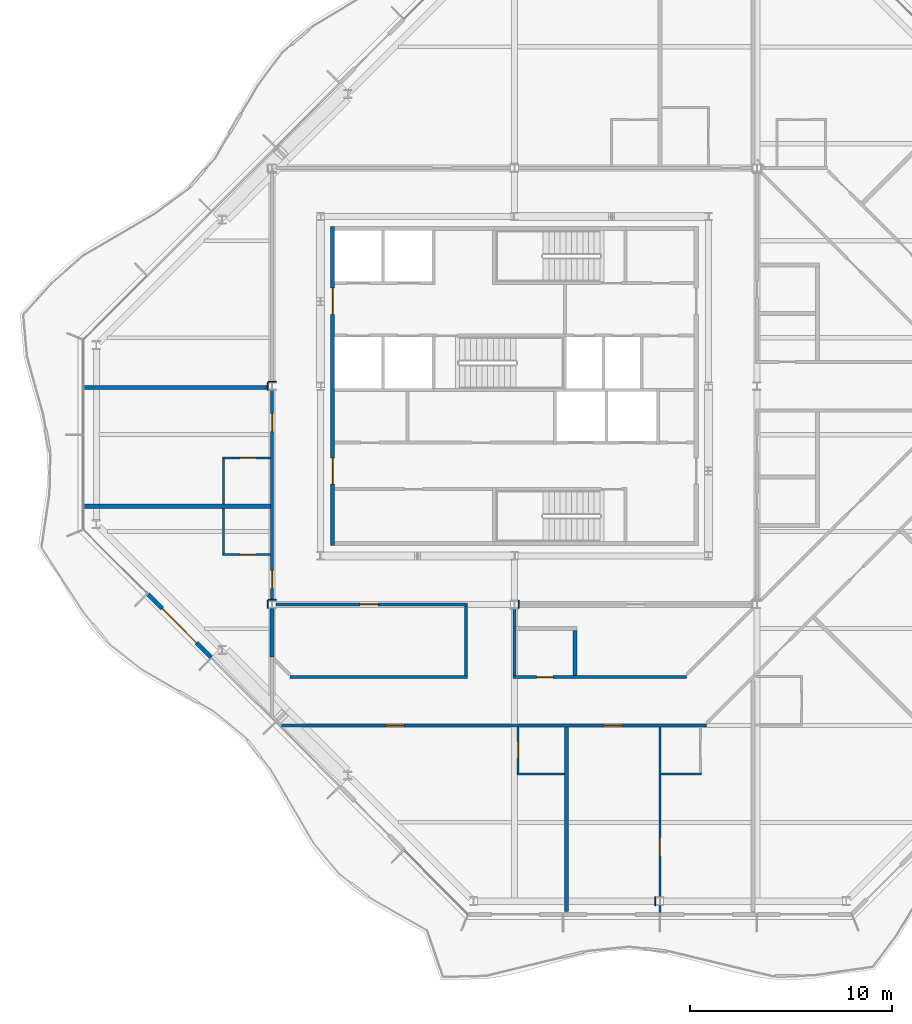
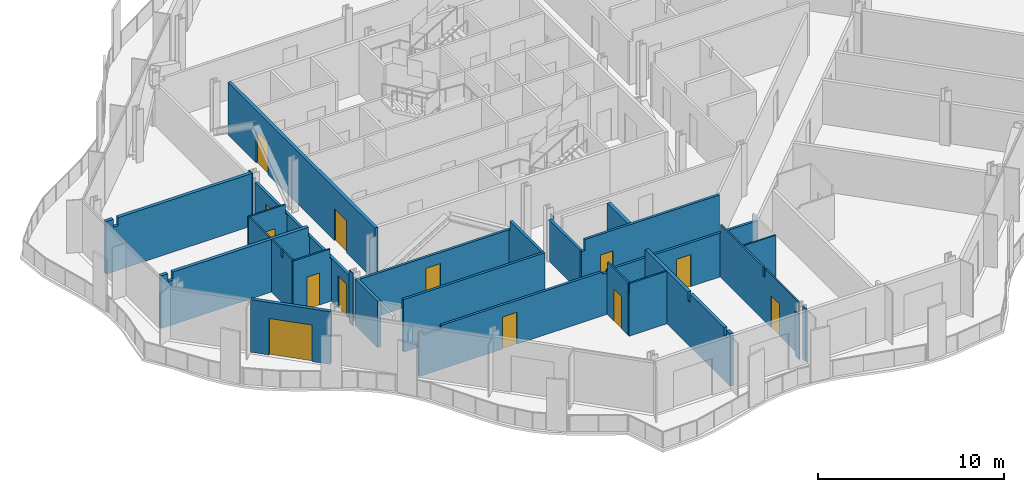
# One storey, part 7 of 17: 29 walls, 13 doors, 13 openings.
"""IFC4 building model written with IfcOpenShell, lengths in metres."""

from ifc_helpers import new_model, si_unit, direction, frame, frame_2d, origin, place, context, subcontext, project, spatial, polyline, rectangle, outline, extrude, material, layer, layer_set, type_object, element, fill, save


model = new_model("IFC4")

# Units and contexts
model_context = context("Model", 3, precision=1e-05, world=origin(), true_north=direction((0.0, 1.0)))
body_context = subcontext(model_context, "Body", "Model", "MODEL_VIEW")
ifc_project = project(units=[si_unit("LENGTHUNIT", "METRE"), si_unit("AREAUNIT", "SQUARE_METRE"), si_unit("VOLUMEUNIT", "CUBIC_METRE"), si_unit("PLANEANGLEUNIT", "RADIAN"), si_unit("MASSUNIT", "GRAM", prefix="KILO")], contexts=[model_context])

# Site, building, storey
site_placement = place(None, origin())
site = spatial("IfcSite", under=ifc_project, at=site_placement, CompositionType="ELEMENT")
building_placement = place(site_placement, origin())
building = spatial("IfcBuilding", under=site, at=building_placement, Name="Cairn Pilgrim Tower", CompositionType="ELEMENT")
storey_placement = place(building_placement, frame((0.0, 0.0, 228.60009765625)))
storey = spatial("IfcBuildingStorey", under=building, at=storey_placement, Name="L58", CompositionType="ELEMENT", Elevation=228.60009765625)

# Wall, opening, door
ifc_material_1 = material(Name="Bronze anodised aluminium insulated sandwich panel with mineral wool fill", Category="aluminium")
ifc_layer_1 = layer(ifc_material_1, 0.199951171875)
ifc_layer_set_1 = layer_set([ifc_layer_1], Name="BRONZE INFILL FRAME WALL 200")
wall_type_1 = type_object("IfcWallType", Name="BRONZE INFILL FRAME WALL 200", PredefinedType="NOTDEFINED", material=ifc_layer_set_1)
wall_1_placement = place(storey_placement, frame((-10.953125, -7.893310546875, 0.0), z_axis=(0.0, 0.0, 1.0), x_axis=(0.707106781187, -0.707106781187, 0.0)))
wall_1 = element("IfcWall", 1, at=wall_1_placement, inside=storey, type_object=wall_type_1, Name="Bronze infill frame wall IW-SW2", PredefinedType="NOTDEFINED", context=body_context, shape_type="SweptSolid", body=[
    extrude(rectangle(XDim=4.430908203125, YDim=0.199951171875, at=frame_2d((2.21533203125, 0.0))), origin(), (0.0, 0.0, 1.0), 3.449951171875),
])
opening_1_placement = place(wall_1_placement, frame((1.015380859375, 0.0, 0.0)))
opening_1 = element("IfcOpeningElement", 2, at=opening_1_placement, cuts=wall_1, Name="Opening 5812B", PredefinedType="OPENING", context=body_context, shape_type="SweptSolid", body=[
    extrude(rectangle(XDim=2.39990234375, YDim=2.39990234375, at=frame_2d((1.199951171875, 1.199951171875))), frame((0.0, 0.10986328125, 0.0), z_axis=(0.0, -1.0, 0.0), x_axis=(1.0, 0.0, 0.0)), (0.0, 0.0, 1.0), 0.219970703125),
])
ifc_material_2 = material(Name="Bronze anodised aluminium frame with tinted low-E glass", Category="aluminium")
door_type_1 = type_object("IfcDoorType", Name="BALCONY SLIDING DOOR 2400x2400", OperationType="DOUBLE_DOOR_SLIDING", PredefinedType="DOOR", material=ifc_material_2)
door_1_placement = place(opening_1_placement, origin())
door_1 = element("IfcDoor", 3, at=door_1_placement, inside=storey, type_object=door_type_1, Name="Balcony sliding door 5812B", OperationType="SINGLE_SWING_LEFT", OverallHeight=2.39990234375, OverallWidth=2.39990234375, PredefinedType="DOOR", context=body_context, shape_type="SweptSolid", body=[
    extrude(rectangle(XDim=2.39990234375, YDim=2.39990234375, at=frame_2d((1.199951171875, 1.199951171875))), frame((0.0, 0.02490234375, 0.0), z_axis=(0.0, -1.0, 0.0), x_axis=(1.0, 0.0, 0.0)), (0.0, 0.0, 1.0), 0.050048828125),
])
fill(opening_1, door_1)

# Wall, openings, doors
ifc_material_3 = material(Name="Concrete C32/40", Category="concrete")
ifc_layer_2 = layer(ifc_material_3, 0.199951171875)
ifc_layer_set_2 = layer_set([ifc_layer_2], Name="CORE OUTER WALL 200 EI 120")
wall_type_2 = type_object("IfcWallType", Name="CORE OUTER WALL 200 EI 120", PredefinedType="SOLIDWALL", material=ifc_layer_set_2)
wall_2_placement = place(storey_placement, frame((-1.800048828125, -5.5, 0.0), z_axis=(0.0, 0.0, 1.0), x_axis=(0.0, 1.0, 0.0)))
wall_2 = element("IfcWall", 4, at=wall_2_placement, inside=storey, type_object=wall_type_2, Name="CW:L58:V13", PredefinedType="SOLIDWALL", context=body_context, shape_type="SweptSolid", body=[
    extrude(rectangle(XDim=15.800048828125, YDim=0.199951171875, at=frame_2d((7.89990234375, 0.0))), origin(), (0.0, 0.0, 1.0), 3.449951171875),
])
opening_2_placement = place(wall_2_placement, frame((3.050048828125, 0.0, 0.0)))
opening_2 = element("IfcOpeningElement", 5, at=opening_2_placement, cuts=wall_2, Name="Opening CD-W1", PredefinedType="OPENING", context=body_context, shape_type="SweptSolid", body=[
    extrude(rectangle(XDim=1.300048828125, YDim=2.10009765625, at=frame_2d((0.64990234375, 1.050048828125))), frame((0.0, 0.10986328125, 0.0), z_axis=(0.0, -1.0, 0.0), x_axis=(1.0, 0.0, 0.0)), (0.0, 0.0, 1.0), 0.219970703125),
])
opening_3_placement = place(wall_2_placement, frame((11.449951171875, 0.0, 0.0)))
opening_3 = element("IfcOpeningElement", 6, at=opening_3_placement, cuts=wall_2, Name="Opening CD-W2", PredefinedType="OPENING", context=body_context, shape_type="SweptSolid", body=[
    extrude(rectangle(XDim=1.300048828125, YDim=2.10009765625, at=frame_2d((0.64990234375, 1.050048828125))), frame((0.0, 0.10986328125, 0.0), z_axis=(0.0, -1.0, 0.0), x_axis=(1.0, 0.0, 0.0)), (0.0, 0.0, 1.0), 0.219970703125),
])
ifc_material_4 = material(Name="Painted steel", Category="steel")
door_type_2 = type_object("IfcDoorType", Name="CORE LOBBY DOOR 1300x2100", OperationType="DOUBLE_DOOR_SINGLE_SWING", PredefinedType="DOOR", material=ifc_material_4)
door_2_placement = place(opening_2_placement, origin())
door_2 = element("IfcDoor", 7, at=door_2_placement, inside=storey, type_object=door_type_2, Name="CD-W1", OperationType="DOUBLE_DOOR_SINGLE_SWING", OverallHeight=2.10009765625, OverallWidth=1.300048828125, PredefinedType="DOOR", context=body_context, shape_type="SweptSolid", body=[
    extrude(rectangle(XDim=1.300048828125, YDim=2.10009765625, at=frame_2d((0.64990234375, 1.050048828125))), frame((0.0, 0.02490234375, 0.0), z_axis=(0.0, -1.0, 0.0), x_axis=(1.0, 0.0, 0.0)), (0.0, 0.0, 1.0), 0.050048828125),
])
fill(opening_2, door_2)
door_3_placement = place(opening_3_placement, origin())
door_3 = element("IfcDoor", 8, at=door_3_placement, inside=storey, type_object=door_type_2, Name="CD-W2", OperationType="DOUBLE_DOOR_SINGLE_SWING", OverallHeight=2.10009765625, OverallWidth=1.300048828125, PredefinedType="DOOR", context=body_context, shape_type="SweptSolid", body=[
    extrude(rectangle(XDim=1.300048828125, YDim=2.10009765625, at=frame_2d((0.64990234375, 1.050048828125))), frame((0.0, 0.02490234375, 0.0), z_axis=(0.0, -1.0, 0.0), x_axis=(1.0, 0.0, 0.0)), (0.0, 0.0, 1.0), 0.050048828125),
])
fill(opening_3, door_3)

# Wall
ifc_material_5 = material(Name="Gypsum partition")
ifc_layer_3 = layer(ifc_material_5, 0.10009765625)
ifc_layer_set_3 = layer_set([ifc_layer_3], Name="PARTITION 100 DRYWALL")
wall_type_3 = type_object("IfcWallType", Name="PARTITION 100 DRYWALL", PredefinedType="PARTITIONING", material=ifc_layer_set_3)
wall_3_placement = place(storey_placement, frame((14.39990234375, -23.64990234375, 0.0), z_axis=(0.0, 0.0, 1.0), x_axis=(0.0, 1.0, 0.0)))
element("IfcWall", 9, at=wall_3_placement, inside=storey, type_object=wall_type_3, Name="PARTITION W001", PredefinedType="PARTITIONING", context=body_context, shape_type="SweptSolid", body=[
    extrude(rectangle(XDim=0.326904296875, YDim=0.10009765625, at=frame_2d((0.16357421875, 0.0))), origin(), (0.0, 0.0, 1.0), 3.449951171875),
])

# Wall, opening, door
wall_4_placement = place(storey_placement, frame((14.39990234375, -22.876953125, 0.0), z_axis=(0.0, 0.0, 1.0), x_axis=(0.0, 1.0, 0.0)))
wall_4 = element("IfcWall", 10, at=wall_4_placement, inside=storey, type_object=wall_type_3, Name="PARTITION W004", PredefinedType="PARTITIONING", context=body_context, shape_type="SweptSolid", body=[
    extrude(outline(polyline([(0.0, 0.0), (8.40185546875, 0.0), (8.402099609375, 2.8798828125), (8.3720703125, 2.8798828125), (8.3701171875, 3.449951171875), (3.781982421875, 3.449951171875), (3.780029296875, 2.8798828125), (3.572021484375, 2.8798828125), (3.570068359375, 3.449951171875), (0.0, 3.449951171875), (0.0, 0.0)])), frame((0.0, 0.050048828125, 0.0), z_axis=(0.0, -1.0, 0.0), x_axis=(1.0, 0.0, 0.0)), (0.0, 0.0, 1.0), 0.10009765625),
])
opening_4_placement = place(wall_4_placement, frame((2.027099609375, 0.0, 0.0)))
opening_4 = element("IfcOpeningElement", 11, at=opening_4_placement, cuts=wall_4, Name="Opening 5814C", PredefinedType="OPENING", context=body_context, shape_type="SweptSolid", body=[
    extrude(rectangle(XDim=0.89990234375, YDim=2.10009765625, at=frame_2d((0.449951171875, 1.050048828125))), frame((0.0, 0.06005859375, 0.0), z_axis=(0.0, -1.0, 0.0), x_axis=(1.0, 0.0, 0.0)), (0.0, 0.0, 1.0), 0.1201171875),
])
ifc_material_6 = material(Name="Timber door leaf", Category="wood")
door_type_3 = type_object("IfcDoorType", Name="SERVICE DOOR 900x2100", OperationType="NOTDEFINED", PredefinedType="DOOR", material=ifc_material_6)
door_4_placement = place(opening_4_placement, origin())
door_4 = element("IfcDoor", 12, at=door_4_placement, inside=storey, type_object=door_type_3, Name="DOOR 5814C", OperationType="SINGLE_SWING_RIGHT", OverallHeight=2.10009765625, OverallWidth=0.89990234375, PredefinedType="DOOR", context=body_context, shape_type="SweptSolid", body=[
    extrude(rectangle(XDim=0.89990234375, YDim=2.10009765625, at=frame_2d((0.449951171875, 1.050048828125))), frame((0.0, 0.02490234375, 0.0), z_axis=(0.0, -1.0, 0.0), x_axis=(1.0, 0.0, 0.0)), (0.0, 0.0, 1.0), 0.050048828125),
])
fill(opening_4, door_4)

# Wall
wall_5_placement = place(storey_placement, frame((7.3359375, -16.800048828125, 0.0), z_axis=(0.0, 0.0, 1.0), x_axis=(1.0, 0.0, 0.0)))
element("IfcWall", 13, at=wall_5_placement, inside=storey, type_object=wall_type_3, Name="PARTITION W006", PredefinedType="PARTITIONING", context=body_context, shape_type="SweptSolid", body=[
    extrude(outline(polyline([(0.0, 0.0), (2.35009765625, 0.0), (2.35009765625, 3.449951171875), (0.013916015625, 3.449951171875), (0.011962890625, 2.72998046875), (0.0, 2.72998046875), (0.0, 0.0)])), frame((0.0, 0.050048828125, 0.0), z_axis=(0.0, -1.0, 0.0), x_axis=(1.0, 0.0, 0.0)), (0.0, 0.0, 1.0), 0.10009765625),
])

# Wall, opening, door
wall_6_placement = place(storey_placement, frame((7.385986328125, -16.75, 0.0), z_axis=(0.0, 0.0, 1.0), x_axis=(0.0, 1.0, 0.0)))
wall_6 = element("IfcWall", 14, at=wall_6_placement, inside=storey, type_object=wall_type_3, Name="PARTITION W007", PredefinedType="PARTITIONING", context=body_context, shape_type="SweptSolid", body=[
    extrude(outline(polyline([(0.0, 0.0), (2.27490234375, 0.0), (2.27490234375, 2.8798828125), (2.2451171875, 2.8798828125), (2.242919921875, 3.449951171875), (0.0, 3.449951171875), (0.0, 0.0)])), frame((0.0, 0.050048828125, 0.0), z_axis=(0.0, -1.0, 0.0), x_axis=(1.0, 0.0, 0.0)), (0.0, 0.0, 1.0), 0.10009765625),
])
opening_5_placement = place(wall_6_placement, frame((0.75, 0.0, 0.0)))
opening_5 = element("IfcOpeningElement", 15, at=opening_5_placement, cuts=wall_6, Name="Opening 5813A", PredefinedType="OPENING", context=body_context, shape_type="SweptSolid", body=[
    extrude(rectangle(XDim=0.800048828125, YDim=2.10009765625, at=frame_2d((0.39990234375, 1.050048828125))), frame((0.0, 0.06005859375, 0.0), z_axis=(0.0, -1.0, 0.0), x_axis=(1.0, 0.0, 0.0)), (0.0, 0.0, 1.0), 0.1201171875),
])
door_type_4 = type_object("IfcDoorType", Name="WC DOOR 800x2100", OperationType="NOTDEFINED", PredefinedType="DOOR", material=ifc_material_6)
door_5_placement = place(opening_5_placement, origin())
door_5 = element("IfcDoor", 16, at=door_5_placement, inside=storey, type_object=door_type_4, Name="DOOR 5813A", OperationType="SINGLE_SWING_RIGHT", OverallHeight=2.10009765625, OverallWidth=0.800048828125, PredefinedType="DOOR", context=body_context, shape_type="SweptSolid", body=[
    extrude(rectangle(XDim=0.800048828125, YDim=2.10009765625, at=frame_2d((0.39990234375, 1.050048828125))), frame((0.0, 0.02490234375, 0.0), z_axis=(0.0, -1.0, 0.0), x_axis=(1.0, 0.0, 0.0)), (0.0, 0.0, 1.0), 0.050048828125),
])
fill(opening_5, door_5)

# Wall
wall_7_placement = place(storey_placement, frame((14.449951171875, -16.800048828125, 0.0), z_axis=(0.0, 0.0, 1.0), x_axis=(1.0, 0.0, 0.0)))
element("IfcWall", 17, at=wall_7_placement, inside=storey, type_object=wall_type_3, Name="PARTITION W008", PredefinedType="PARTITIONING", context=body_context, shape_type="SweptSolid", body=[
    extrude(rectangle(XDim=2.0, YDim=0.10009765625, at=frame_2d((1.0, 0.0))), origin(), (0.0, 0.0, 1.0), 3.449951171875),
])

# Wall, opening, door
wall_8_placement = place(storey_placement, frame((-7.25, -5.944091796875, 0.0), z_axis=(0.0, 0.0, 1.0), x_axis=(1.0, 0.0, 0.0)))
wall_8 = element("IfcWall", 18, at=wall_8_placement, inside=storey, type_object=wall_type_3, Name="PARTITION W036", PredefinedType="PARTITIONING", context=body_context, shape_type="SweptSolid", body=[
    extrude(outline(polyline([(0.0, 0.0), (2.375, 0.0), (2.375, 2.829833984375), (2.300048828125, 2.829833984375), (2.298095703125, 3.449951171875), (0.0, 3.449951171875), (0.0, 0.0)])), frame((0.0, 0.050048828125, 0.0), z_axis=(0.0, -1.0, 0.0), x_axis=(1.0, 0.0, 0.0)), (0.0, 0.0, 1.0), 0.10009765625),
])
opening_6_placement = place(wall_8_placement, frame((0.85009765625, 0.0, 0.0)))
opening_6 = element("IfcOpeningElement", 19, at=opening_6_placement, cuts=wall_8, Name="Opening 5812A", PredefinedType="OPENING", context=body_context, shape_type="SweptSolid", body=[
    extrude(rectangle(XDim=0.800048828125, YDim=2.10009765625, at=frame_2d((0.39990234375, 1.050048828125))), frame((0.0, 0.06005859375, 0.0), z_axis=(0.0, -1.0, 0.0), x_axis=(1.0, 0.0, 0.0)), (0.0, 0.0, 1.0), 0.1201171875),
])
door_6_placement = place(opening_6_placement, frame((0.800048828125, 0.0, 0.0), z_axis=(0.0, 0.0, 1.0), x_axis=(-1.0, 0.0, 0.0)))
door_6 = element("IfcDoor", 20, at=door_6_placement, inside=storey, type_object=door_type_4, Name="DOOR 5812A", OperationType="SINGLE_SWING_RIGHT", OverallHeight=2.10009765625, OverallWidth=0.800048828125, PredefinedType="DOOR", context=body_context, shape_type="SweptSolid", body=[
    extrude(rectangle(XDim=0.800048828125, YDim=2.10009765625, at=frame_2d((0.39990234375, 1.050048828125))), frame((0.0, 0.02490234375, 0.0), z_axis=(0.0, -1.0, 0.0), x_axis=(1.0, 0.0, 0.0)), (0.0, 0.0, 1.0), 0.050048828125),
])
fill(opening_6, door_6)

# Walls
wall_9_placement = place(storey_placement, frame((-7.199951171875, -5.89404296875, 0.0), z_axis=(0.0, 0.0, 1.0), x_axis=(0.0, 1.0, 0.0)))
element("IfcWall", 21, at=wall_9_placement, inside=storey, type_object=wall_type_3, Name="PARTITION W037", PredefinedType="PARTITIONING", context=body_context, shape_type="SweptSolid", body=[
    extrude(outline(polyline([(0.0, 0.0), (2.25, 0.0), (2.25, 3.449951171875), (1.18896484375, 3.449951171875), (1.18701171875, 2.97998046875), (0.9990234375, 2.97998046875), (0.9970703125, 3.449951171875), (0.0, 3.449951171875), (0.0, 0.0)])), frame((0.0, 0.050048828125, 0.0), z_axis=(0.0, -1.0, 0.0), x_axis=(1.0, 0.0, 0.0)), (0.0, 0.0, 1.0), 0.10009765625),
])
wall_10_placement = place(storey_placement, frame((-7.199951171875, -3.444091796875, 0.0), z_axis=(0.0, 0.0, 1.0), x_axis=(0.0, 1.0, 0.0)))
element("IfcWall", 22, at=wall_10_placement, inside=storey, type_object=wall_type_3, Name="PARTITION W041", PredefinedType="PARTITIONING", context=body_context, shape_type="SweptSolid", body=[
    extrude(rectangle(XDim=2.25, YDim=0.10009765625, at=frame_2d((1.125, 0.0))), origin(), (0.0, 0.0, 1.0), 3.449951171875),
])

# Wall, opening, door
wall_11_placement = place(storey_placement, frame((-7.25, -1.14404296875, 0.0), z_axis=(0.0, 0.0, 1.0), x_axis=(1.0, 0.0, 0.0)))
wall_11 = element("IfcWall", 23, at=wall_11_placement, inside=storey, type_object=wall_type_3, Name="PARTITION W043", PredefinedType="PARTITIONING", context=body_context, shape_type="SweptSolid", body=[
    extrude(outline(polyline([(0.0, 0.0), (2.375, 0.0), (2.375, 2.829833984375), (2.300048828125, 2.829833984375), (2.298095703125, 3.449951171875), (0.0, 3.449951171875), (0.0, 0.0)])), frame((0.0, 0.050048828125, 0.0), z_axis=(0.0, -1.0, 0.0), x_axis=(1.0, 0.0, 0.0)), (0.0, 0.0, 1.0), 0.10009765625),
])
opening_7_placement = place(wall_11_placement, frame((0.85009765625, 0.0, 0.0)))
opening_7 = element("IfcOpeningElement", 24, at=opening_7_placement, cuts=wall_11, Name="Opening 5811A", PredefinedType="OPENING", context=body_context, shape_type="SweptSolid", body=[
    extrude(rectangle(XDim=0.800048828125, YDim=2.10009765625, at=frame_2d((0.39990234375, 1.050048828125))), frame((0.0, 0.06005859375, 0.0), z_axis=(0.0, -1.0, 0.0), x_axis=(1.0, 0.0, 0.0)), (0.0, 0.0, 1.0), 0.1201171875),
])
door_7_placement = place(opening_7_placement, origin())
door_7 = element("IfcDoor", 25, at=door_7_placement, inside=storey, type_object=door_type_4, Name="DOOR 5811A", OperationType="SINGLE_SWING_RIGHT", OverallHeight=2.10009765625, OverallWidth=0.800048828125, PredefinedType="DOOR", context=body_context, shape_type="SweptSolid", body=[
    extrude(rectangle(XDim=0.800048828125, YDim=2.10009765625, at=frame_2d((0.39990234375, 1.050048828125))), frame((0.0, 0.02490234375, 0.0), z_axis=(0.0, -1.0, 0.0), x_axis=(1.0, 0.0, 0.0)), (0.0, 0.0, 1.0), 0.050048828125),
])
fill(opening_7, door_7)

# Wall, openings, doors
ifc_layer_4 = layer(ifc_material_5, 0.14990234375)
ifc_layer_set_4 = layer_set([ifc_layer_4], Name="PARTITION 150 DRYWALL EI 60")
wall_type_4 = type_object("IfcWallType", Name="PARTITION 150 DRYWALL EI 60", PredefinedType="PARTITIONING", material=ifc_layer_set_4)
wall_12_placement = place(storey_placement, frame((-4.326171875, -14.39990234375, 0.0), z_axis=(0.0, 0.0, 1.0), x_axis=(1.0, 0.0, 0.0)))
wall_12 = element("IfcWall", 26, at=wall_12_placement, inside=storey, type_object=wall_type_4, Name="PARTITION W011", PredefinedType="PARTITIONING", context=body_context, shape_type="SweptSolid", body=[
    extrude(outline(polyline([(0.0, 0.0), (21.0263671875, 0.0), (21.026123046875, 2.8798828125), (11.676025390625, 2.8798828125), (11.674072265625, 2.72998046875), (11.376220703125, 2.72998046875), (11.3740234375, 2.8798828125), (1.368896484375, 2.8798828125), (1.366943359375, 2.6298828125), (0.22900390625, 2.6298828125), (0.226806640625, 2.8798828125), (0.0, 2.8798828125), (0.0, 0.0)])), frame((0.0, 0.074951171875, 0.0), z_axis=(0.0, -1.0, 0.0), x_axis=(1.0, 0.0, 0.0)), (0.0, 0.0, 1.0), 0.14990234375),
])
opening_8_placement = place(wall_12_placement, frame((5.169189453125, 0.0, 0.0)))
opening_8 = element("IfcOpeningElement", 27, at=opening_8_placement, cuts=wall_12, Name="Opening 5813", PredefinedType="OPENING", context=body_context, shape_type="SweptSolid", body=[
    extrude(rectangle(XDim=0.89990234375, YDim=2.10009765625, at=frame_2d((0.449951171875, 1.050048828125))), frame((0.0, 0.0849609375, 0.0), z_axis=(0.0, -1.0, 0.0), x_axis=(1.0, 0.0, 0.0)), (0.0, 0.0, 1.0), 0.169921875),
])
opening_9_placement = place(wall_12_placement, frame((15.968994140625, 0.0, 0.0)))
opening_9 = element("IfcOpeningElement", 28, at=opening_9_placement, cuts=wall_12, Name="Opening 5814", PredefinedType="OPENING", context=body_context, shape_type="SweptSolid", body=[
    extrude(rectangle(XDim=0.89990234375, YDim=2.10009765625, at=frame_2d((0.449951171875, 1.050048828125))), frame((0.0, 0.0849609375, 0.0), z_axis=(0.0, -1.0, 0.0), x_axis=(1.0, 0.0, 0.0)), (0.0, 0.0, 1.0), 0.169921875),
])
door_type_5 = type_object("IfcDoorType", Name="ROOM DOOR 900x2100 FD30S", OperationType="NOTDEFINED", PredefinedType="DOOR", material=ifc_material_6)
door_8_placement = place(opening_8_placement, frame((0.89990234375, 0.0, 0.0), z_axis=(0.0, 0.0, 1.0), x_axis=(-1.0, 0.0, 0.0)))
door_8 = element("IfcDoor", 29, at=door_8_placement, inside=storey, type_object=door_type_5, Name="DOOR 5813", OperationType="SINGLE_SWING_RIGHT", OverallHeight=2.10009765625, OverallWidth=0.89990234375, PredefinedType="DOOR", context=body_context, shape_type="SweptSolid", body=[
    extrude(rectangle(XDim=0.89990234375, YDim=2.10009765625, at=frame_2d((0.449951171875, 1.050048828125))), frame((0.0, 0.02490234375, 0.0), z_axis=(0.0, -1.0, 0.0), x_axis=(1.0, 0.0, 0.0)), (0.0, 0.0, 1.0), 0.050048828125),
])
fill(opening_8, door_8)
door_9_placement = place(opening_9_placement, frame((0.89990234375, 0.0, 0.0), z_axis=(0.0, 0.0, 1.0), x_axis=(-1.0, 0.0, 0.0)))
door_9 = element("IfcDoor", 30, at=door_9_placement, inside=storey, type_object=door_type_5, Name="DOOR 5814", OperationType="SINGLE_SWING_RIGHT", OverallHeight=2.10009765625, OverallWidth=0.89990234375, PredefinedType="DOOR", context=body_context, shape_type="SweptSolid", body=[
    extrude(rectangle(XDim=0.89990234375, YDim=2.10009765625, at=frame_2d((0.449951171875, 1.050048828125))), frame((0.0, 0.02490234375, 0.0), z_axis=(0.0, -1.0, 0.0), x_axis=(1.0, 0.0, 0.0)), (0.0, 0.0, 1.0), 0.050048828125),
])
fill(opening_9, door_9)

# Wall
wall_13_placement = place(storey_placement, frame((-3.912109375, -12.0, 0.0), z_axis=(0.0, 0.0, 1.0), x_axis=(1.0, 0.0, 0.0)))
element("IfcWall", 31, at=wall_13_placement, inside=storey, type_object=wall_type_4, Name="PARTITION W017", PredefinedType="PARTITIONING", context=body_context, shape_type="SweptSolid", body=[
    extrude(rectangle(XDim=8.787109375, YDim=0.14990234375, at=frame_2d((4.3935546875, 0.0))), origin(), (0.0, 0.0, 1.0), 3.449951171875),
])

# Wall, opening, door
wall_14_placement = place(storey_placement, frame((7.125, -12.0, 0.0), z_axis=(0.0, 0.0, 1.0), x_axis=(1.0, 0.0, 0.0)))
wall_14 = element("IfcWall", 32, at=wall_14_placement, inside=storey, type_object=wall_type_4, Name="PARTITION W018", PredefinedType="PARTITIONING", context=body_context, shape_type="SweptSolid", body=[
    extrude(outline(polyline([(0.0, 0.0), (8.5810546875, 0.0), (8.5810546875, 3.449951171875), (0.22509765625, 3.449951171875), (0.222900390625, 2.72998046875), (0.0, 2.72998046875), (0.0, 0.0)])), frame((0.0, 0.074951171875, 0.0), z_axis=(0.0, -1.0, 0.0), x_axis=(1.0, 0.0, 0.0)), (0.0, 0.0, 1.0), 0.14990234375),
])
opening_10_placement = place(wall_14_placement, frame((1.175048828125, 0.0, 0.0)))
opening_10 = element("IfcOpeningElement", 33, at=opening_10_placement, cuts=wall_14, Name="Opening 5818", PredefinedType="OPENING", context=body_context, shape_type="SweptSolid", body=[
    extrude(rectangle(XDim=0.800048828125, YDim=2.10009765625, at=frame_2d((0.39990234375, 1.050048828125))), frame((0.0, 0.0849609375, 0.0), z_axis=(0.0, -1.0, 0.0), x_axis=(1.0, 0.0, 0.0)), (0.0, 0.0, 1.0), 0.169921875),
])
door_type_6 = type_object("IfcDoorType", Name="WC DOOR 800x2100 FD30S", OperationType="NOTDEFINED", PredefinedType="DOOR", material=ifc_material_6)
door_10_placement = place(opening_10_placement, origin())
door_10 = element("IfcDoor", 34, at=door_10_placement, inside=storey, type_object=door_type_6, Name="DOOR 5818", OperationType="SINGLE_SWING_RIGHT", OverallHeight=2.10009765625, OverallWidth=0.800048828125, PredefinedType="DOOR", context=body_context, shape_type="SweptSolid", body=[
    extrude(rectangle(XDim=0.800048828125, YDim=2.10009765625, at=frame_2d((0.39990234375, 1.050048828125))), frame((0.0, 0.02490234375, 0.0), z_axis=(0.0, -1.0, 0.0), x_axis=(1.0, 0.0, 0.0)), (0.0, 0.0, 1.0), 0.050048828125),
])
fill(opening_10, door_10)

# Walls
wall_15_placement = place(storey_placement, frame((4.800048828125, -11.925048828125, 0.0), z_axis=(0.0, 0.0, 1.0), x_axis=(0.0, 1.0, 0.0)))
element("IfcWall", 35, at=wall_15_placement, inside=storey, type_object=wall_type_4, Name="PARTITION W021", PredefinedType="PARTITIONING", context=body_context, shape_type="SweptSolid", body=[
    extrude(outline(polyline([(0.0, 0.0), (3.449951171875, 0.0), (3.449951171875, 2.829833984375), (3.375, 2.829833984375), (3.373046875, 3.449951171875), (0.0, 3.449951171875), (0.0, 0.0)])), frame((0.0, 0.074951171875, 0.0), z_axis=(0.0, -1.0, 0.0), x_axis=(1.0, 0.0, 0.0)), (0.0, 0.0, 1.0), 0.14990234375),
])
wall_16_placement = place(storey_placement, frame((7.199951171875, -11.925048828125, 0.0), z_axis=(0.0, 0.0, 1.0), x_axis=(0.0, 1.0, 0.0)))
element("IfcWall", 36, at=wall_16_placement, inside=storey, type_object=wall_type_4, Name="PARTITION W022", PredefinedType="PARTITIONING", context=body_context, shape_type="SweptSolid", body=[
    extrude(rectangle(XDim=3.32861328125, YDim=0.14990234375, at=frame_2d((1.664306640625, 0.0))), origin(), (0.0, 0.0, 1.0), 2.72998046875),
])

# Wall, opening, door
wall_17_placement = place(storey_placement, frame((-4.6005859375, -8.39990234375, 0.0), z_axis=(0.0, 0.0, 1.0), x_axis=(1.0, 0.0, 0.0)))
wall_17 = element("IfcWall", 37, at=wall_17_placement, inside=storey, type_object=wall_type_4, Name="PARTITION W030", PredefinedType="PARTITIONING", context=body_context, shape_type="SweptSolid", body=[
    extrude(rectangle(XDim=9.4755859375, YDim=0.14990234375, at=frame_2d((4.73779296875, 0.0))), origin(), (0.0, 0.0, 1.0), 2.829833984375),
])
opening_11_placement = place(wall_17_placement, frame((4.150390625, 0.0, 0.0)))
opening_11 = element("IfcOpeningElement", 38, at=opening_11_placement, cuts=wall_17, Name="Opening 5822", PredefinedType="OPENING", context=body_context, shape_type="SweptSolid", body=[
    extrude(rectangle(XDim=0.89990234375, YDim=2.10009765625, at=frame_2d((0.449951171875, 1.050048828125))), frame((0.0, 0.0849609375, 0.0), z_axis=(0.0, -1.0, 0.0), x_axis=(1.0, 0.0, 0.0)), (0.0, 0.0, 1.0), 0.169921875),
])
door_type_7 = type_object("IfcDoorType", Name="SERVICE DOOR 900x2100 FD30S", OperationType="NOTDEFINED", PredefinedType="DOOR", material=ifc_material_6)
door_11_placement = place(opening_11_placement, frame((0.89990234375, 0.0, 0.0), z_axis=(0.0, 0.0, 1.0), x_axis=(-1.0, 0.0, 0.0)))
door_11 = element("IfcDoor", 39, at=door_11_placement, inside=storey, type_object=door_type_7, Name="DOOR 5822", OperationType="SINGLE_SWING_LEFT", OverallHeight=2.10009765625, OverallWidth=0.89990234375, PredefinedType="DOOR", context=body_context, shape_type="SweptSolid", body=[
    extrude(rectangle(XDim=0.89990234375, YDim=2.10009765625, at=frame_2d((0.449951171875, 1.050048828125))), frame((0.0, 0.02490234375, 0.0), z_axis=(0.0, -1.0, 0.0), x_axis=(1.0, 0.0, 0.0)), (0.0, 0.0, 1.0), 0.050048828125),
])
fill(opening_11, door_11)

# Wall, openings, doors
wall_18_placement = place(storey_placement, frame((-4.800048828125, -8.20361328125, 0.0), z_axis=(0.0, 0.0, 1.0), x_axis=(0.0, 1.0, 0.0)))
wall_18 = element("IfcWall", 40, at=wall_18_placement, inside=storey, type_object=wall_type_4, Name="PARTITION W032", PredefinedType="PARTITIONING", context=body_context, shape_type="SweptSolid", body=[
    extrude(rectangle(XDim=10.4072265625, YDim=0.14990234375, at=frame_2d((5.20361328125, 0.0))), origin(), (0.0, 0.0, 1.0), 2.829833984375),
])
opening_12_placement = place(wall_18_placement, frame((8.353515625, 0.0, 0.0)))
opening_12 = element("IfcOpeningElement", 41, at=opening_12_placement, cuts=wall_18, Name="Opening 5811", PredefinedType="OPENING", context=body_context, shape_type="SweptSolid", body=[
    extrude(rectangle(XDim=0.89990234375, YDim=2.10009765625, at=frame_2d((0.449951171875, 1.050048828125))), frame((0.0, 0.0849609375, 0.0), z_axis=(0.0, -1.0, 0.0), x_axis=(1.0, 0.0, 0.0)), (0.0, 0.0, 1.0), 0.169921875),
])
opening_13_placement = place(wall_18_placement, frame((0.58154296875, 0.0, 0.0)))
opening_13 = element("IfcOpeningElement", 42, at=opening_13_placement, cuts=wall_18, Name="Opening 5812", PredefinedType="OPENING", context=body_context, shape_type="SweptSolid", body=[
    extrude(rectangle(XDim=0.89990234375, YDim=2.10009765625, at=frame_2d((0.449951171875, 1.050048828125))), frame((0.0, 0.0849609375, 0.0), z_axis=(0.0, -1.0, 0.0), x_axis=(1.0, 0.0, 0.0)), (0.0, 0.0, 1.0), 0.169921875),
])
door_12_placement = place(opening_12_placement, origin())
door_12 = element("IfcDoor", 43, at=door_12_placement, inside=storey, type_object=door_type_5, Name="DOOR 5811", OperationType="SINGLE_SWING_RIGHT", OverallHeight=2.10009765625, OverallWidth=0.89990234375, PredefinedType="DOOR", context=body_context, shape_type="SweptSolid", body=[
    extrude(rectangle(XDim=0.89990234375, YDim=2.10009765625, at=frame_2d((0.449951171875, 1.050048828125))), frame((0.0, 0.02490234375, 0.0), z_axis=(0.0, -1.0, 0.0), x_axis=(1.0, 0.0, 0.0)), (0.0, 0.0, 1.0), 0.050048828125),
])
fill(opening_12, door_12)
door_13_placement = place(opening_13_placement, origin())
door_13 = element("IfcDoor", 44, at=door_13_placement, inside=storey, type_object=door_type_5, Name="DOOR 5812", OperationType="SINGLE_SWING_RIGHT", OverallHeight=2.10009765625, OverallWidth=0.89990234375, PredefinedType="DOOR", context=body_context, shape_type="SweptSolid", body=[
    extrude(rectangle(XDim=0.89990234375, YDim=2.10009765625, at=frame_2d((0.449951171875, 1.050048828125))), frame((0.0, 0.02490234375, 0.0), z_axis=(0.0, -1.0, 0.0), x_axis=(1.0, 0.0, 0.0)), (0.0, 0.0, 1.0), 0.050048828125),
])
fill(opening_13, door_13)

# Walls
ifc_layer_5 = layer(ifc_material_5, 0.050048828125)
ifc_layer_set_5 = layer_set([ifc_layer_5], Name="PARTITION 50 DRYWALL")
wall_type_5 = type_object("IfcWallType", Name="PARTITION 50 DRYWALL", PredefinedType="PARTITIONING", material=ifc_layer_set_5)
wall_19_placement = place(storey_placement, frame((14.1669921875, -23.322998046875, 0.0), z_axis=(0.0, 0.0, 1.0), x_axis=(0.0, 1.0, 0.0)))
element("IfcWall", 45, at=wall_19_placement, inside=storey, type_object=wall_type_5, Name="COLUMN CASING WC01", PredefinedType="PARTITIONING", context=body_context, shape_type="SweptSolid", body=[
    extrude(rectangle(XDim=0.446044921875, YDim=0.050048828125, at=frame_2d((0.22314453125, 0.0))), origin(), (0.0, 0.0, 1.0), 2.929931640625),
])
ifc_layer_6 = layer(ifc_material_5, 0.050048828125)
ifc_layer_set_6 = layer_set([ifc_layer_6], Name="PARTITION 50 DRYWALL EI 60")
wall_type_6 = type_object("IfcWallType", Name="PARTITION 50 DRYWALL EI 60", PredefinedType="PARTITIONING", material=ifc_layer_set_6)
wall_20_placement = place(storey_placement, frame((7.424560546875, -8.596435546875, 0.0), z_axis=(0.0, 0.0, 1.0), x_axis=(0.0, 1.0, 0.0)))
element("IfcWall", 46, at=wall_20_placement, inside=storey, type_object=wall_type_6, Name="COLUMN CASING WC05", PredefinedType="PARTITIONING", context=body_context, shape_type="SweptSolid", body=[
    extrude(rectangle(XDim=0.392822265625, YDim=0.050048828125, at=frame_2d((0.1962890625, 0.0))), origin(), (0.0, 0.0, 1.0), 2.829833984375),
])
for number, where, z_axis, x_axis, name in (
    (47, (-5.0244140625, -8.596435546875, 0.0), (0.0, 0.0, 1.0), (0.0, 1.0, 0.0), "COLUMN CASING WC08"),
    (48, (-5.0244140625, 2.20361328125, 0.0), (0.0, 0.0, 1.0), (0.0, 1.0, 0.0), "COLUMN CASING WC09"),
):
    element("IfcWall", number, at=place(storey_placement, frame(where, z_axis=z_axis, x_axis=x_axis)), inside=storey, type_object=wall_type_6, Name=name, PredefinedType="PARTITIONING", context=body_context, shape_type="SweptSolid", body=[
        extrude(rectangle(XDim=0.392822265625, YDim=0.050048828125, at=frame_2d((0.1962890625, 0.0))), origin(), (0.0, 0.0, 1.0), 3.449951171875),
    ])
for number, where, z_axis, x_axis, name in (
    (49, (-4.99951171875, -8.178466796875, 0.0), (0.0, 0.0, 1.0), (1.0, 0.0, 0.0), "COLUMN CASING WC11"),
    (50, (-4.99951171875, 2.62158203125, 0.0), (0.0, 0.0, 1.0), (1.0, 0.0, 0.0), "COLUMN CASING WC16"),
):
    element("IfcWall", number, at=place(storey_placement, frame(where, z_axis=z_axis, x_axis=x_axis)), inside=storey, type_object=wall_type_6, Name=name, PredefinedType="PARTITIONING", context=body_context, shape_type="SweptSolid", body=[
        extrude(rectangle(XDim=0.39892578125, YDim=0.050048828125, at=frame_2d((0.199462890625, 0.0))), origin(), (0.0, 0.0, 1.0), 2.829833984375),
    ])
ifc_layer_7 = layer(ifc_material_5, 0.199951171875)
ifc_layer_set_7 = layer_set([ifc_layer_7], Name="SHAFT WALL 200 GYPSUM EI 60")
wall_type_7 = type_object("IfcWallType", Name="SHAFT WALL 200 GYPSUM EI 60", PredefinedType="PARTITIONING", material=ifc_layer_set_7)
wall_21_placement = place(storey_placement, frame((9.785888671875, -23.6201171875, 0.0), z_axis=(0.0, 0.0, 1.0), x_axis=(0.0, 1.0, 0.0)))
element("IfcWall", 51, at=wall_21_placement, inside=storey, type_object=wall_type_7, Name="PARTITION W002", PredefinedType="PARTITIONING", context=body_context, shape_type="SweptSolid", body=[
    extrude(outline(polyline([(0.0, 0.0), (9.14501953125, 0.0), (9.14501953125, 2.8798828125), (9.114990234375, 2.8798828125), (9.113037109375, 3.449951171875), (4.52490234375, 3.449951171875), (4.52294921875, 2.8798828125), (4.31494140625, 2.8798828125), (4.31298828125, 3.449951171875), (0.669921875, 3.449951171875), (0.66796875, 2.929931640625), (0.3701171875, 2.929931640625), (0.367919921875, 3.449951171875), (0.0, 3.449951171875), (0.0, 0.0)])), frame((0.0, 0.10009765625, 0.0), z_axis=(0.0, -1.0, 0.0), x_axis=(1.0, 0.0, 0.0)), (0.0, 0.0, 1.0), 0.199951171875),
])
wall_22_placement = place(storey_placement, frame((10.199951171875, -11.925048828125, 0.0), z_axis=(0.0, 0.0, 1.0), x_axis=(0.0, 1.0, 0.0)))
element("IfcWall", 52, at=wall_22_placement, inside=storey, type_object=wall_type_7, Name="PARTITION W023", PredefinedType="PARTITIONING", context=body_context, shape_type="SweptSolid", body=[
    extrude(rectangle(XDim=2.22509765625, YDim=0.199951171875, at=frame_2d((1.112548828125, 0.0))), origin(), (0.0, 0.0, 1.0), 3.449951171875),
])
wall_23_placement = place(storey_placement, frame((-4.800048828125, -11.006103515625, 0.0), z_axis=(0.0, 0.0, 1.0), x_axis=(0.0, 1.0, 0.0)))
element("IfcWall", 53, at=wall_23_placement, inside=storey, type_object=wall_type_7, Name="PARTITION W026", PredefinedType="PARTITIONING", context=body_context, shape_type="SweptSolid", body=[
    extrude(rectangle(XDim=2.40966796875, YDim=0.199951171875, at=frame_2d((1.204833984375, 0.0))), origin(), (0.0, 0.0, 1.0), 3.02978515625),
])
wall_24_placement = place(storey_placement, frame((-14.10302734375, -3.5439453125, 0.0), z_axis=(0.0, 0.0, 1.0), x_axis=(1.0, 0.0, 0.0)))
element("IfcWall", 54, at=wall_24_placement, inside=storey, type_object=wall_type_7, Name="PARTITION W040", PredefinedType="PARTITIONING", context=body_context, shape_type="SweptSolid", body=[
    extrude(outline(polyline([(0.0, 0.0), (9.22802734375, 0.0), (9.22802734375, 2.829833984375), (9.153076171875, 2.829833984375), (9.15087890625, 3.449951171875), (0.7529296875, 3.449951171875), (0.7509765625, 2.929931640625), (0.452880859375, 2.929931640625), (0.450927734375, 3.449951171875), (0.0, 3.449951171875), (0.0, 0.0)])), frame((0.0, 0.10009765625, 0.0), z_axis=(0.0, -1.0, 0.0), x_axis=(1.0, 0.0, 0.0)), (0.0, 0.0, 1.0), 0.199951171875),
])
wall_25_placement = place(storey_placement, frame((-14.10302734375, 2.343994140625, 0.0), z_axis=(0.0, 0.0, 1.0), x_axis=(1.0, 0.0, 0.0)))
element("IfcWall", 55, at=wall_25_placement, inside=storey, type_object=wall_type_7, Name="PARTITION W046", PredefinedType="PARTITIONING", context=body_context, shape_type="SweptSolid", body=[
    extrude(outline(polyline([(0.0, 0.0), (9.103515625, 0.0), (9.103515625, 3.449951171875), (0.7529296875, 3.449951171875), (0.7509765625, 2.929931640625), (0.452880859375, 2.929931640625), (0.450927734375, 3.449951171875), (0.0, 3.449951171875), (0.0, 0.0)])), frame((0.0, 0.10009765625, 0.0), z_axis=(0.0, -1.0, 0.0), x_axis=(1.0, 0.0, 0.0)), (0.0, 0.0, 1.0), 0.199951171875),
])

save(model, "model.ifc")
